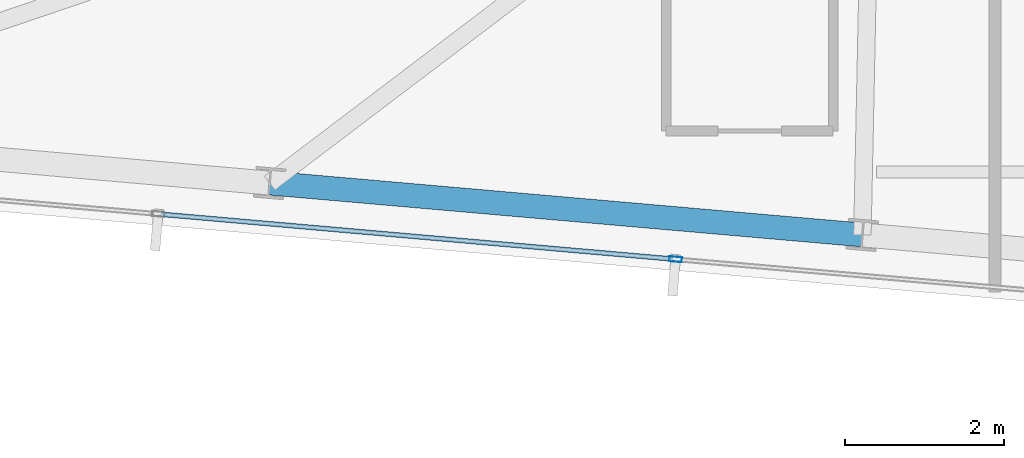
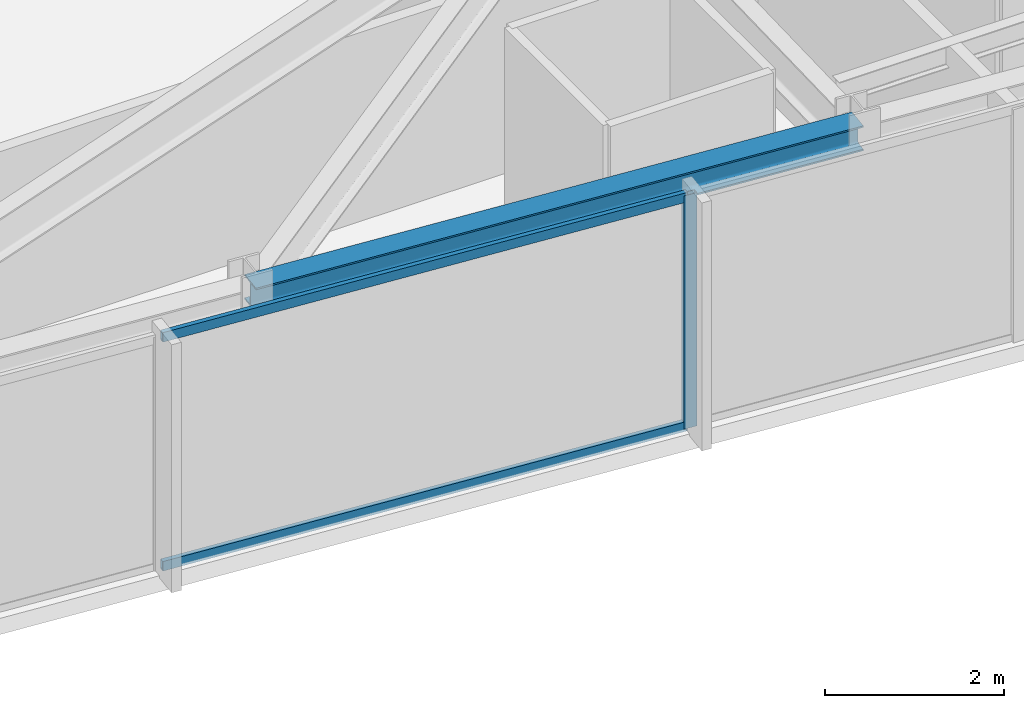
# One storey, part 3 of 33: 3 members, 1 beam, 1 element without a shape of its own.
"""IFC4 building model written with IfcOpenShell, lengths in metres."""

import ifcopenshell
import ifcopenshell.guid

model = None  # the IFC model being written
_history = None  # IfcOwnerHistory: only IFC2X3 demands one
_inside = {}  # id of a spatial element -> (the spatial element, [elements in it])
_under = {}  # id of a project, library or spatial element -> (it, [spatial elements below it])
_declared = {}  # id of a project -> (the project, [libraries it declares])
_typed = {}  # id of a type object -> (the type object, [elements of that type])
_made_of = {}  # id of a material, layer set ... -> (it, [elements and type objects made of it])


def new_model(schema):
    """Start an empty IFC model of exactly this schema.

    Asked for "IFC4X3", IfcOpenShell would pick the latest addendum, in which some entities
    have other attributes; the version numbers below select the first issue.
    IFC2X3 requires an IfcOwnerHistory on every rooted entity: one is made here for all.
    """
    global model, _history
    if schema == "IFC4X3":
        model = ifcopenshell.file(schema_version=(4, 3, 0, 0))
    else:
        model = ifcopenshell.file(schema=schema)
    _inside.clear()
    _under.clear()
    _declared.clear()
    _typed.clear()
    _made_of.clear()
    _history = None
    if model.schema == "IFC2X3":
        org = make("IfcOrganization", Name="unknown")
        user = make(
            "IfcPersonAndOrganization",
            ThePerson=make("IfcPerson", FamilyName="unknown"),
            TheOrganization=org,
        )
        app = make(
            "IfcApplication",
            ApplicationDeveloper=org,
            Version="unknown",
            ApplicationFullName="unknown",
            ApplicationIdentifier="unknown",
        )
        _history = make(
            "IfcOwnerHistory",
            OwningUser=user,
            OwningApplication=app,
            ChangeAction="ADDED",
            CreationDate=0,
        )
    return model


def make(cls, **values):
    """One entity of the class cls with the attributes given. An attribute that is None is left unset."""
    return model.create_entity(
        cls, **{name: value for name, value in values.items() if value is not None}
    )


def rooted(cls, **values):
    """An entity with a GlobalId (a new one), such as an element, a storey or a relation."""
    return make(cls, GlobalId=ifcopenshell.guid.new(), OwnerHistory=_history, **values)


def si_unit(unit_type, name, prefix=None):
    """IfcSIUnit, for example si_unit("LENGTHUNIT", "METRE", prefix="MILLI")."""
    return make("IfcSIUnit", UnitType=unit_type, Prefix=prefix, Name=name)


def assignment(units):
    """IfcUnitAssignment: the units of a project."""
    return None if units is None else make("IfcUnitAssignment", Units=units)


def point(xyz):
    """IfcCartesianPoint."""
    return None if xyz is None else make("IfcCartesianPoint", Coordinates=xyz)


def direction(xyz):
    """IfcDirection."""
    return None if xyz is None else make("IfcDirection", DirectionRatios=xyz)


def frame(location, z_axis=None, x_axis=None):
    """IfcAxis2Placement3D, a coordinate frame: its origin and axes. An axis left out is left unset."""
    return make(
        "IfcAxis2Placement3D",
        Location=point(location),
        Axis=direction(z_axis),
        RefDirection=direction(x_axis),
    )


def frame_2d(location, x_axis=None):
    """IfcAxis2Placement2D, a coordinate frame in the plane: its origin and x axis."""
    return make(
        "IfcAxis2Placement2D", Location=point(location), RefDirection=direction(x_axis)
    )


def origin():
    """The frame at (0, 0, 0) with its axes left unset."""
    return frame((0.0, 0.0, 0.0))


def origin_2d():
    """The frame at (0, 0) in the plane with its x axis left unset."""
    return frame_2d((0.0, 0.0))


def place(relative_to, where):
    """IfcLocalPlacement: puts the frame where relative to a parent placement (None: the world)."""
    return make(
        "IfcLocalPlacement", PlacementRelTo=relative_to, RelativePlacement=where
    )


def context(
    kind, dimensions, precision=None, world=None, true_north=None, identifier=None
):
    """IfcGeometricRepresentationContext, for example the 3D "Model" context."""
    return make(
        "IfcGeometricRepresentationContext",
        ContextIdentifier=identifier,
        ContextType=kind,
        CoordinateSpaceDimension=dimensions,
        Precision=precision,
        WorldCoordinateSystem=world,
        TrueNorth=true_north,
    )


def subcontext(parent, identifier, kind, view, scale=None):
    """IfcGeometricRepresentationSubContext, for example "Body" below "Model"."""
    return make(
        "IfcGeometricRepresentationSubContext",
        ContextIdentifier=identifier,
        ContextType=kind,
        ParentContext=parent,
        TargetScale=scale,
        TargetView=view,
    )


def project(units=None, contexts=None):
    """IfcProject with its units and contexts."""
    return rooted(
        "IfcProject",
        Name="project",
        RepresentationContexts=contexts,
        UnitsInContext=assignment(units),
    )


def spatial(cls, under=None, at=None, **own):
    """A site, building, storey or space (cls), placed at a placement, below another one or the project."""
    s = rooted(cls, ObjectPlacement=at, **own)
    if under is not None:
        _under.setdefault(under.id(), (under, []))[1].append(s)
    return s


def profile(cls, at=None, kind="AREA", **sizes):
    """A parametric profile (cls). Its sizes go by their IFC names, for example OverallWidth=200.0."""
    return make(cls, ProfileType=kind, Position=at, **sizes)


def hollow_rectangle(**sizes):
    """IfcRectangleHollowProfileDef."""
    return profile("IfcRectangleHollowProfileDef", **sizes)


def i_section(**sizes):
    """IfcIShapeProfileDef."""
    return profile("IfcIShapeProfileDef", **sizes)


def extrude(swept, where, along, depth):
    """IfcExtrudedAreaSolid: the profile swept, set in the frame where, extruded along a direction by depth."""
    return make(
        "IfcExtrudedAreaSolid",
        SweptArea=swept,
        Position=where,
        ExtrudedDirection=direction(along),
        Depth=depth,
    )


def shape(context_of_items, identifier, shape_type, items):
    """IfcShapeRepresentation: the items that make up one representation, for example the "Body"."""
    return make(
        "IfcShapeRepresentation",
        ContextOfItems=context_of_items,
        RepresentationIdentifier=identifier,
        RepresentationType=shape_type,
        Items=items,
    )


def material(Name=None, Category=None):
    """IfcMaterial."""
    return make("IfcMaterial", Name=Name, Category=Category)


def material_profile(
    of_material, cross_section, Name=None, Category=None, Priority=None
):
    """IfcMaterialProfile: a cross section and its material."""
    return make(
        "IfcMaterialProfile",
        Name=Name,
        Material=of_material,
        Profile=cross_section,
        Priority=Priority,
        Category=Category,
    )


def profile_set(profiles, Name=None, composite=None):
    """IfcMaterialProfileSet."""
    return make(
        "IfcMaterialProfileSet",
        Name=Name,
        MaterialProfiles=profiles,
        CompositeProfile=composite,
    )


def made_of(thing, what):
    """Note that an element or type object is made of a material, layer set ...; save() writes the relation."""
    if what is not None:
        _made_of.setdefault(what.id(), (what, []))[1].append(thing)
    return thing


def type_object(cls, material=None, **own):
    """A type object (cls), such as IfcWallType, which elements share."""
    return made_of(rooted(cls, **own), material)


def element(
    cls,
    number,
    at=None,
    inside=None,
    cuts=None,
    type_object=None,
    material=None,
    context=None,
    identifier="Body",
    shape_type=None,
    held_by="IfcProductDefinitionShape",
    body=None,
    shapes=None,
    **own,
):
    """One element of the class cls, such as IfcWall. Its Tag is "e" and its number.

    at: its placement. inside: the storey or other place that contains it. cuts: it is an
    opening in that element (IfcRelVoidsElement). A single representation is given by context,
    identifier, shape_type and body (its items); several are given by shapes. held_by: the class
    of the entity that holds the representations. save() writes the other relations.
    """
    e = rooted(cls, Tag="e%d" % number, ObjectPlacement=at, **own)
    if body is not None:
        shapes = [shape(context, identifier, shape_type, body)]
    if shapes is not None:
        e.Representation = make(held_by, Representations=shapes)
    if inside is not None:
        _inside.setdefault(inside.id(), (inside, []))[1].append(e)
    if cuts is not None:
        rooted(
            "IfcRelVoidsElement", RelatingBuildingElement=cuts, RelatedOpeningElement=e
        )
    if type_object is not None:
        _typed.setdefault(type_object.id(), (type_object, []))[1].append(e)
    return made_of(e, material)


def aggregate(whole, parts):
    """IfcRelAggregates: a whole, such as a stair, and the parts it consists of."""
    return rooted("IfcRelAggregates", RelatingObject=whole, RelatedObjects=parts)


def save(model, path):
    """Write the relations noted so far, then the file.

    IfcRelAggregates (storeys below a building ...), IfcRelContainedInSpatialStructure (elements
    in a storey), IfcRelDefinesByType, IfcRelAssociatesMaterial and IfcRelDeclares: one each for
    every whole, place, type object, material and project.
    """
    for whole, parts in _under.values():
        aggregate(whole, parts)
    for where, things in _inside.values():
        rooted(
            "IfcRelContainedInSpatialStructure",
            RelatedElements=things,
            RelatingStructure=where,
        )
    for kind, things in _typed.values():
        rooted("IfcRelDefinesByType", RelatedObjects=things, RelatingType=kind)
    for what, things in _made_of.values():
        rooted("IfcRelAssociatesMaterial", RelatedObjects=things, RelatingMaterial=what)
    for by, libraries in _declared.values():
        rooted("IfcRelDeclares", RelatingContext=by, RelatedDefinitions=libraries)
    model.write(path)


model = new_model("IFC4")

# Units and contexts
model_context = context("Model", 3, precision=1e-05, world=origin(), true_north=direction((0.0, 1.0)))
body_context = subcontext(model_context, "Body", "Model", "MODEL_VIEW")
ifc_project = project(units=[si_unit("LENGTHUNIT", "METRE"), si_unit("AREAUNIT", "SQUARE_METRE"), si_unit("VOLUMEUNIT", "CUBIC_METRE"), si_unit("PLANEANGLEUNIT", "RADIAN"), si_unit("MASSUNIT", "GRAM", prefix="KILO")], contexts=[model_context])

# Site, building, storey
site_placement = place(None, origin())
site = spatial("IfcSite", under=ifc_project, at=site_placement, CompositionType="ELEMENT")
building_placement = place(site_placement, origin())
building = spatial("IfcBuilding", under=site, at=building_placement, Name="Yelkora Congress Tower", CompositionType="ELEMENT")
storey_placement = place(building_placement, frame((0.0, 0.0, 289.699951171875)))
storey = spatial("IfcBuildingStorey", under=building, at=storey_placement, Name="L81", CompositionType="ELEMENT", Elevation=289.699951171875)

# Beam
ifc_material_1 = material(Name="Steel S355J2", Category="steel")
ifc_material_profile_1 = material_profile(ifc_material_1, i_section(OverallWidth=0.300048828125, OverallDepth=0.340087890625, WebThickness=0.011962890625, FlangeThickness=0.021484375, FilletRadius=0.027099609375, at=origin_2d()), Name="HEB 340")
ifc_profile_set_1 = profile_set([ifc_material_profile_1], Name="Steel S355J2")
beam_type = type_object("IfcBeamType", Name="BM-SPAN-HEB340", PredefinedType="SPANDREL", material=ifc_profile_set_1)
beam_placement = place(storey_placement, frame((15.452880859375, 19.445556640625, 3.010009765625), z_axis=(0.996193186297, -0.08717302092, 0.0), x_axis=(0.08717302092, 0.996193186297, 0.0)))
element("IfcBeam", 1, at=beam_placement, inside=storey, type_object=beam_type, Name="L81 Perimeter Beam 2", PredefinedType="SPANDREL", context=body_context, shape_type="SweptSolid", body=[
    extrude(i_section(OverallWidth=0.300048828125, OverallDepth=0.340087890625, WebThickness=0.011962890625, FlangeThickness=0.021484375, FilletRadius=0.027099609375, at=origin_2d()), origin(), (0.0, 0.0, 1.0), 7.4833984375),
])

# Curtain wall, members
ifc_material_2 = material(Name="Anodised aluminium and insulated glass", Category="aluminium")
curtain_wall_type = type_object("IfcCurtainWallType", Name="CW-SYS-B5", PredefinedType="NOTDEFINED", material=ifc_material_2)
curtain_wall_placement = place(storey_placement, origin())
curtain_wall = element("IfcCurtainWall", 2, at=curtain_wall_placement, inside=storey, type_object=curtain_wall_type, Name="L81 Unitised Curtain Wall 20", PredefinedType="NOTDEFINED")
ifc_material_3 = material(Name="Anodised aluminium 6063-T6", Category="aluminium")
ifc_material_profile_2 = material_profile(ifc_material_3, hollow_rectangle(XDim=0.06494140625, YDim=0.159912109375, WallThickness=0.00390625, at=origin_2d()), Name="ALU 65x160x4")
ifc_profile_set_2 = profile_set([ifc_material_profile_2], Name="Anodised aluminium 6063-T6")
member_type_1 = type_object("IfcMemberType", Name="MEM-ML-B5", PredefinedType="MULLION", material=ifc_profile_set_2)
member_1_placement = place(storey_placement, frame((20.558349609375, 18.487060546875, 0.0), z_axis=(0.0, 0.0, 1.0), x_axis=(-0.087156829793, -0.996194602987, 0.0)))
member_1 = element("IfcMember", 3, at=member_1_placement, type_object=member_type_1, Name="CW-B5 mullion 6", PredefinedType="MULLION", context=body_context, shape_type="SweptSolid", body=[
    extrude(hollow_rectangle(XDim=0.06494140625, YDim=0.159912109375, WallThickness=0.00390625, at=origin_2d()), origin(), (0.0, 0.0, 1.0), 3.179931640625),
])
ifc_material_profile_3 = material_profile(ifc_material_3, hollow_rectangle(XDim=0.06005859375, YDim=0.1298828125, WallThickness=0.00390625, at=origin_2d()), Name="ALU 60x130x4")
ifc_profile_set_3 = profile_set([ifc_material_profile_3], Name="Anodised aluminium 6063-T6")
member_type_2 = type_object("IfcMemberType", Name="MEM-TR-B5", PredefinedType="USERDEFINED", material=ifc_profile_set_3)
member_2_placement = place(storey_placement, frame((20.52587890625, 18.48974609375, 0.030029296875), z_axis=(-0.99619269288, 0.087178659385, 0.0), x_axis=(-0.087178659385, -0.99619269288, 0.0)))
member_2 = element("IfcMember", 4, at=member_2_placement, type_object=member_type_2, Name="CW-B5 transom 6.1", ObjectType="TRANSOM", PredefinedType="USERDEFINED", context=body_context, shape_type="SweptSolid", body=[
    extrude(hollow_rectangle(XDim=0.06005859375, YDim=0.1298828125, WallThickness=0.00390625, at=origin_2d()), origin(), (0.0, 0.0, 1.0), 6.46630859375),
])
member_3_placement = place(storey_placement, frame((20.52587890625, 18.48974609375, 3.150146484375), z_axis=(-0.99619269288, 0.087178659385, 0.0), x_axis=(-0.087178659385, -0.99619269288, 0.0)))
member_3 = element("IfcMember", 5, at=member_3_placement, type_object=member_type_2, Name="CW-B5 transom 6.2", ObjectType="TRANSOM", PredefinedType="USERDEFINED", context=body_context, shape_type="SweptSolid", body=[
    extrude(hollow_rectangle(XDim=0.06005859375, YDim=0.1298828125, WallThickness=0.00390625, at=origin_2d()), origin(), (0.0, 0.0, 1.0), 6.46630859375),
])
aggregate(curtain_wall, [member_1, member_2, member_3])

save(model, "model.ifc")
